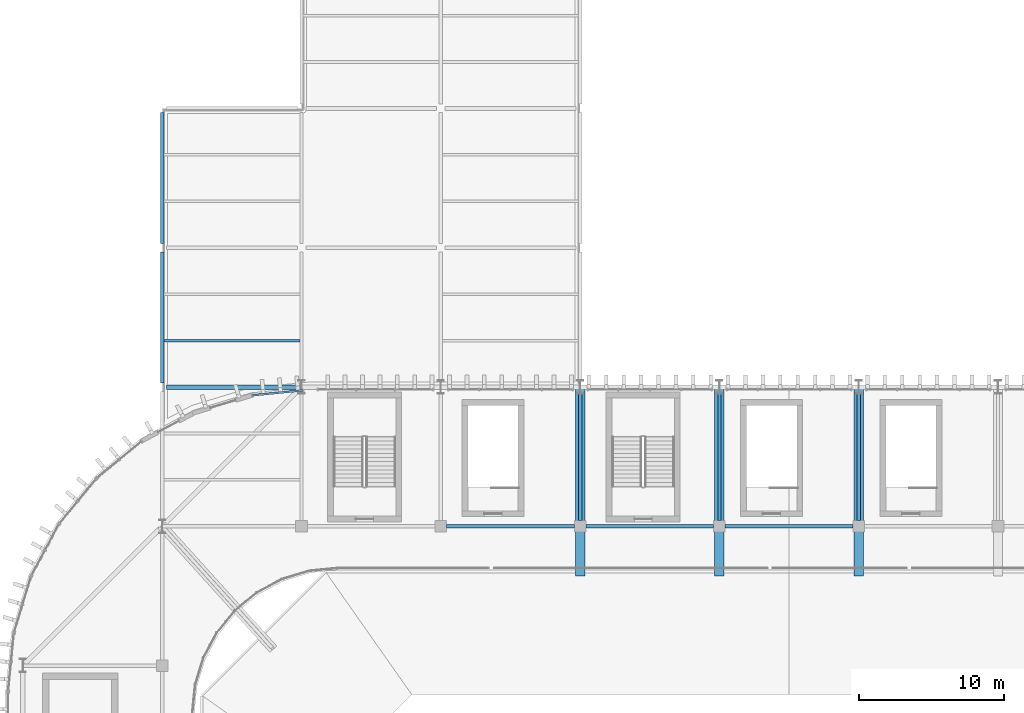
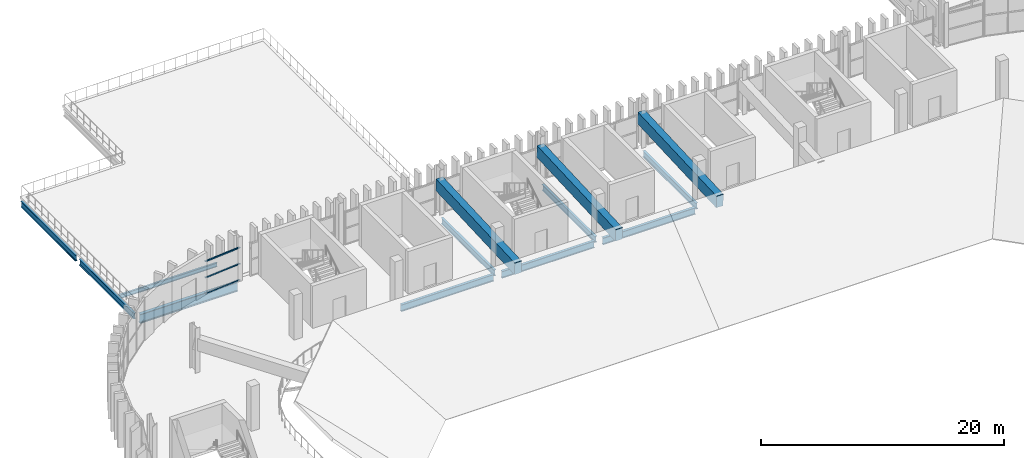
# One storey, part 26 of 69: 13 beams, 3 members, 1 element without a shape of its own.
"""IFC4 building model written with IfcOpenShell, lengths in metres."""

from ifc_helpers import new_model, si_unit, direction, frame, origin, origin_2d, place, context, subcontext, project, spatial, rectangle, i_section, extrude, material, layer, layer_set, material_profile, profile_set, type_object, element, aggregate, save


model = new_model("IFC4")

# Units and contexts
model_context = context("Model", 3, precision=1e-05, world=origin(), true_north=direction((0.0, 1.0)))
body_context = subcontext(model_context, "Body", "Model", "MODEL_VIEW")
ifc_project = project(units=[si_unit("LENGTHUNIT", "METRE"), si_unit("AREAUNIT", "SQUARE_METRE"), si_unit("VOLUMEUNIT", "CUBIC_METRE"), si_unit("PLANEANGLEUNIT", "RADIAN"), si_unit("MASSUNIT", "GRAM", prefix="KILO")], contexts=[model_context])

# Site, building, storey
site_placement = place(None, origin())
site = spatial("IfcSite", under=ifc_project, at=site_placement, CompositionType="ELEMENT")
building_placement = place(site_placement, origin())
building = spatial("IfcBuilding", under=site, at=building_placement, Name="Caelomonte Colonnade Arena", CompositionType="ELEMENT")
storey_placement = place(building_placement, frame((0.0, 0.0, 18.60009765625)))
storey = spatial("IfcBuildingStorey", under=building, at=storey_placement, Name="L04", CompositionType="ELEMENT", Elevation=18.60009765625)

# Curtain wall, members
ifc_material_1 = material(Name="Bronze anodised aluminium and low-E glazing", Category="aluminium")
ifc_layer = layer(ifc_material_1, 0.179931640625)
ifc_layer_set = layer_set([ifc_layer], Name="Bronze anodised aluminium and low-E glazing")
curtain_wall_type = type_object("IfcCurtainWallType", Name="ENV-CW-CW-L04-42-33", PredefinedType="USERDEFINED", material=ifc_layer_set)
curtain_wall_placement = place(storey_placement, origin())
curtain_wall = element("IfcCurtainWall", 1, at=curtain_wall_placement, inside=storey, type_object=curtain_wall_type, Name="L04 unitized curtain wall CW-L04-0753-1148", ObjectType="UNITIZED CURTAIN WALL", PredefinedType="USERDEFINED")
ifc_material_2 = material(Name="Bronze anodised aluminium AA6063-T6", Category="aluminium")
ifc_material_profile_1 = material_profile(ifc_material_2, rectangle(XDim=0.070068359375, YDim=0.139892578125, at=origin_2d()), Name="CWT-70X140")
ifc_profile_set_1 = profile_set([ifc_material_profile_1], Name="Bronze anodised aluminium AA6063-T6")
member_type = type_object("IfcMemberType", Name="ENV-CW-TRAN1", PredefinedType="USERDEFINED", material=ifc_profile_set_1)
member_1_placement = place(storey_placement, frame((76.86669921875, 114.966552734375, 0.034912109375), z_axis=(-0.995187243537, -0.097991582804, 0.0), x_axis=(0.0, 0.0, 1.0)))
member_1 = element("IfcMember", 2, at=member_1_placement, type_object=member_type, Name="CW-L04-42-33 transom 1.1", ObjectType="TRANSOM", PredefinedType="USERDEFINED", context=body_context, shape_type="SweptSolid", body=[
    extrude(rectangle(XDim=0.070068359375, YDim=0.139892578125, at=origin_2d()), origin(), (0.0, 0.0, 1.0), 3.453125),
])
member_2_placement = place(storey_placement, frame((76.86669921875, 114.966552734375, 1.65625), z_axis=(-0.995187243537, -0.097991582804, 0.0), x_axis=(0.0, 0.0, 1.0)))
member_2 = element("IfcMember", 3, at=member_2_placement, type_object=member_type, Name="CW-L04-42-33 transom 1.2", ObjectType="TRANSOM", PredefinedType="USERDEFINED", context=body_context, shape_type="SweptSolid", body=[
    extrude(rectangle(XDim=0.070068359375, YDim=0.139892578125, at=origin_2d()), origin(), (0.0, 0.0, 1.0), 3.453125),
])
member_3_placement = place(storey_placement, frame((76.86669921875, 114.966552734375, 3.277587890625), z_axis=(-0.995187243537, -0.097991582804, 0.0), x_axis=(0.0, 0.0, 1.0)))
member_3 = element("IfcMember", 4, at=member_3_placement, type_object=member_type, Name="CW-L04-42-33 transom 1.3", ObjectType="TRANSOM", PredefinedType="USERDEFINED", context=body_context, shape_type="SweptSolid", body=[
    extrude(rectangle(XDim=0.070068359375, YDim=0.139892578125, at=origin_2d()), origin(), (0.0, 0.0, 1.0), 3.453125),
])
aggregate(curtain_wall, [member_1, member_2, member_3])

# Beams
ifc_material_3 = material(Name="Wide-flange steel ASTM A992 Grade 50", Category="steel")
ifc_material_profile_2 = material_profile(ifc_material_3, i_section(OverallWidth=0.307861328125, OverallDepth=0.927001953125, WebThickness=0.019287109375, FlangeThickness=0.031982421875, FilletRadius=0.020263671875, at=origin_2d()), Name="W36X194")
ifc_profile_set_2 = profile_set([ifc_material_profile_2], Name="Wide-flange steel ASTM A992 Grade 50")
beam_type_1 = type_object("IfcBeamType", Name="STR-BM-EAVES2", PredefinedType="SPANDREL", material=ifc_profile_set_2)
beam_1_placement = place(storey_placement, frame((67.491943359375, 115.199951171875, -0.7236328125), z_axis=(1.0, 0.0, 0.0), x_axis=(0.0, 1.0, 0.0)))
element("IfcBeam", 5, at=beam_1_placement, inside=storey, type_object=beam_type_1, Name="L04 girder BMX-L04-0672-1152", PredefinedType="SPANDREL", context=body_context, shape_type="SweptSolid", body=[
    extrude(i_section(OverallWidth=0.307861328125, OverallDepth=0.927001953125, WebThickness=0.019287109375, FlangeThickness=0.031982421875, FilletRadius=0.020263671875, at=origin_2d()), origin(), (0.0, 0.0, 1.0), 9.296142578125),
])
ifc_material_profile_3 = material_profile(ifc_material_3, i_section(OverallWidth=0.227783203125, OverallDepth=0.60205078125, WebThickness=0.010498046875, FlangeThickness=0.014892578125, FilletRadius=0.0126953125, at=origin_2d()), Name="W24X68")
ifc_profile_set_3 = profile_set([ifc_material_profile_3], Name="Wide-flange steel ASTM A992 Grade 50")
beam_type_2 = type_object("IfcBeamType", Name="STR-BM-GIRD24B", PredefinedType="SPANDREL", material=ifc_profile_set_3)
beam_2_placement = place(storey_placement, frame((67.199951171875, 115.491943359375, -0.56103515625), z_axis=(0.0, 1.0, 0.0), x_axis=(-1.0, 0.0, 0.0)))
element("IfcBeam", 6, at=beam_2_placement, inside=storey, type_object=beam_type_2, Name="L04 girder BMY-L04-0672-1152", PredefinedType="SPANDREL", context=body_context, shape_type="SweptSolid", body=[
    extrude(i_section(OverallWidth=0.227783203125, OverallDepth=0.60205078125, WebThickness=0.010498046875, FlangeThickness=0.014892578125, FilletRadius=0.0126953125, at=origin_2d()), origin(), (0.0, 0.0, 1.0), 9.01611328125),
])
beam_3_placement = place(storey_placement, frame((67.199951171875, 125.092041015625, -0.56103515625), z_axis=(0.0, 1.0, 0.0), x_axis=(-1.0, 0.0, 0.0)))
element("IfcBeam", 7, at=beam_3_placement, inside=storey, type_object=beam_type_2, Name="L04 girder BMY-L04-0672-1248", PredefinedType="SPANDREL", context=body_context, shape_type="SweptSolid", body=[
    extrude(i_section(OverallWidth=0.227783203125, OverallDepth=0.60205078125, WebThickness=0.010498046875, FlangeThickness=0.014892578125, FilletRadius=0.0126953125, at=origin_2d()), origin(), (0.0, 0.0, 1.0), 9.015869140625),
])
for number, where, z_axis, x_axis, name in (
    (8, (96.0, 105.991943359375, -0.56103515625), (0.0, 1.0, 0.0), (-1.0, 0.0, 0.0), "L04 girder BMY-L04-0960-1056"),
    (9, (105.60009765625, 105.991943359375, -0.56103515625), (0.0, 1.0, 0.0), (-1.0, 0.0, 0.0), "L04 girder BMY-L04-1056-1056"),
    (10, (115.199951171875, 105.991943359375, -0.56103515625), (0.0, 1.0, 0.0), (-1.0, 0.0, 0.0), "L04 girder BMY-L04-1152-1056"),
):
    element("IfcBeam", number, at=place(storey_placement, frame(where, z_axis=z_axis, x_axis=x_axis)), inside=storey, type_object=beam_type_2, Name=name, PredefinedType="SPANDREL", context=body_context, shape_type="SweptSolid", body=[
        extrude(i_section(OverallWidth=0.227783203125, OverallDepth=0.60205078125, WebThickness=0.010498046875, FlangeThickness=0.014892578125, FilletRadius=0.0126953125, at=origin_2d()), origin(), (0.0, 0.0, 1.0), 8.742431640625),
    ])
ifc_material_profile_4 = material_profile(ifc_material_3, i_section(OverallWidth=0.253662109375, OverallDepth=0.683349609375, WebThickness=0.012451171875, FlangeThickness=0.018798828125, FilletRadius=0.01513671875, at=origin_2d()), Name="W27X94")
ifc_profile_set_4 = profile_set([ifc_material_profile_4], Name="Wide-flange steel ASTM A992 Grade 50")
beam_type_3 = type_object("IfcBeamType", Name="STR-BM-GIRD27", PredefinedType="BEAM", material=ifc_profile_set_4)
for number, where, z_axis, x_axis, name in (
    (11, (86.7919921875, 105.60009765625, -0.601806640625), (1.0, 0.0, 0.0), (0.0, 1.0, 0.0), "L04 girder BMX-L04-0864-1056"),
    (12, (96.39208984375, 105.60009765625, -0.601806640625), (1.0, 0.0, 0.0), (0.0, 1.0, 0.0), "L04 girder BMX-L04-0960-1056"),
):
    element("IfcBeam", number, at=place(storey_placement, frame(where, z_axis=z_axis, x_axis=x_axis)), inside=storey, type_object=beam_type_3, Name=name, PredefinedType="BEAM", context=body_context, shape_type="SweptSolid", body=[
        extrude(i_section(OverallWidth=0.253662109375, OverallDepth=0.683349609375, WebThickness=0.012451171875, FlangeThickness=0.018798828125, FilletRadius=0.01513671875, at=origin_2d()), origin(), (0.0, 0.0, 1.0), 8.81591796875),
    ])
beam_4_placement = place(storey_placement, frame((105.991943359375, 105.60009765625, -0.601806640625), z_axis=(1.0, 0.0, 0.0), x_axis=(0.0, 1.0, 0.0)))
element("IfcBeam", 13, at=beam_4_placement, inside=storey, type_object=beam_type_3, Name="L04 girder BMX-L04-1056-1056", PredefinedType="BEAM", context=body_context, shape_type="SweptSolid", body=[
    extrude(i_section(OverallWidth=0.253662109375, OverallDepth=0.683349609375, WebThickness=0.012451171875, FlangeThickness=0.018798828125, FilletRadius=0.01513671875, at=origin_2d()), origin(), (0.0, 0.0, 1.0), 8.816162109375),
])
ifc_material_profile_5 = material_profile(ifc_material_3, i_section(OverallWidth=0.177734375, OverallDepth=0.406494140625, WebThickness=0.0078125, FlangeThickness=0.0126953125, FilletRadius=0.01025390625, at=origin_2d()), Name="W16X40")
ifc_profile_set_5 = profile_set([ifc_material_profile_5], Name="Wide-flange steel ASTM A992 Grade 50")
beam_type_4 = type_object("IfcBeamType", Name="STR-BM-JOIST16", PredefinedType="JOIST", material=ifc_profile_set_5)
beam_5_placement = place(storey_placement, frame((67.308837890625, 118.39990234375, -0.46337890625), z_axis=(1.0, 0.0, 0.0), x_axis=(0.0, 1.0, 0.0)))
element("IfcBeam", 14, at=beam_5_placement, inside=storey, type_object=beam_type_4, Name="L04 secondary joist 1", PredefinedType="JOIST", context=body_context, shape_type="SweptSolid", body=[
    extrude(i_section(OverallWidth=0.177734375, OverallDepth=0.406494140625, WebThickness=0.0078125, FlangeThickness=0.0126953125, FilletRadius=0.01025390625, at=origin_2d()), origin(), (0.0, 0.0, 1.0), 9.38232421875),
])
ifc_material_4 = material(Name="Concrete C50/60", Category="concrete")
ifc_material_profile_6 = material_profile(ifc_material_4, rectangle(XDim=0.64990234375, YDim=1.199951171875, at=origin_2d()), Name="RC650X1200")
ifc_profile_set_6 = profile_set([ifc_material_profile_6], Name="Concrete C50/60")
beam_type_5 = type_object("IfcBeamType", Name="STR-BM-RKU", PredefinedType="USERDEFINED", material=ifc_profile_set_6)
for number, where, z_axis, x_axis, name in (
    (15, (96.0, 115.179931640625, 2.849853515625), (0.0, -0.998933852291, -0.046164474948), (1.0, 0.0, 0.0), "Upper bowl cantilevered raker girder N-96"),
    (16, (105.60009765625, 115.179931640625, 2.849853515625), (0.0, -0.998933852291, -0.046164474948), (1.0, 0.0, 0.0), "Upper bowl cantilevered raker girder N-105"),
    (17, (115.199951171875, 115.179931640625, 2.849853515625), (0.0, -0.998933852291, -0.046164474948), (1.0, 0.0, 0.0), "Upper bowl cantilevered raker girder N-115"),
):
    element("IfcBeam", number, at=place(storey_placement, frame(where, z_axis=z_axis, x_axis=x_axis)), inside=storey, type_object=beam_type_5, Name=name, ObjectType="RAKER", PredefinedType="USERDEFINED", context=body_context, shape_type="SweptSolid", body=[
        extrude(rectangle(XDim=0.64990234375, YDim=1.199951171875, at=origin_2d()), origin(), (0.0, 0.0, 1.0), 12.993896484375),
    ])

save(model, "model.ifc")
